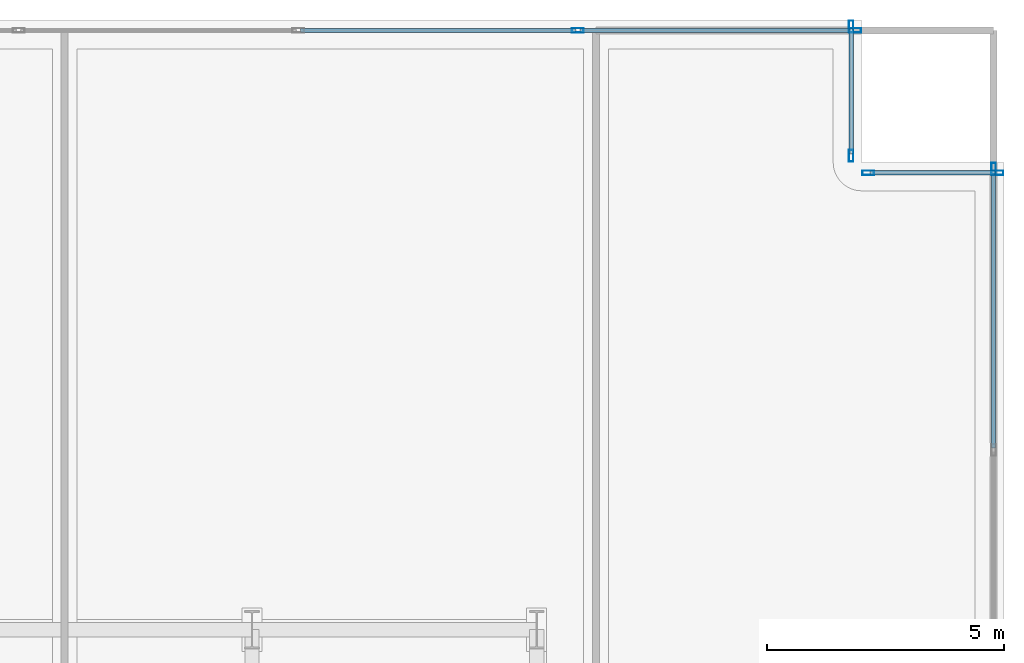
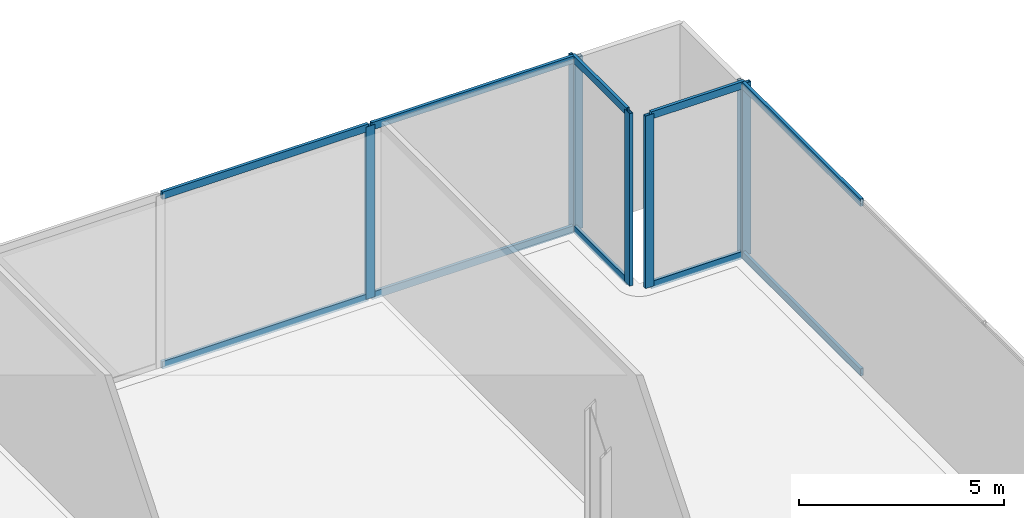
# One storey, part 19 of 27: 17 members, 4 elements without a shape of their own.
"""IFC4 building model written with IfcOpenShell, lengths in metres."""

from ifc_helpers import new_model, si_unit, direction, frame, origin, origin_2d, place, context, subcontext, project, spatial, hollow_rectangle, extrude, material, layer, layer_set, material_profile, profile_set, type_object, element, aggregate, save


model = new_model("IFC4")

# Units and contexts
model_context = context("Model", 3, precision=1e-05, world=origin(), true_north=direction((0.0, 1.0)))
body_context = subcontext(model_context, "Body", "Model", "MODEL_VIEW")
ifc_project = project(units=[si_unit("LENGTHUNIT", "METRE"), si_unit("AREAUNIT", "SQUARE_METRE"), si_unit("VOLUMEUNIT", "CUBIC_METRE"), si_unit("PLANEANGLEUNIT", "RADIAN"), si_unit("MASSUNIT", "GRAM", prefix="KILO"), si_unit("THERMODYNAMICTEMPERATUREUNIT", "KELVIN"), si_unit("POWERUNIT", "WATT")], contexts=[model_context])

# Site, building, storey
site_placement = place(None, origin())
site = spatial("IfcSite", under=ifc_project, at=site_placement, CompositionType="ELEMENT")
building_placement = place(site_placement, origin())
building = spatial("IfcBuilding", under=site, at=building_placement, Name="Svarakhadi Broadcast Tower", CompositionType="ELEMENT")
storey_placement = place(building_placement, frame((0.0, 0.0, 5.699951171875)))
storey = spatial("IfcBuildingStorey", under=building, at=storey_placement, Name="L01", CompositionType="ELEMENT", Elevation=5.699951171875)

# Curtain wall, members
ifc_material = material(Name="Anodised Bronze Aluminium AA 6063-T6", Category="aluminium")
ifc_layer = layer(ifc_material, 0.25)
ifc_layer_set = layer_set([ifc_layer], Name="Anodised Bronze Aluminium AA 6063-T6")
curtain_wall_type = type_object("IfcCurtainWallType", Name="CW_Sys_01", PredefinedType="NOTDEFINED", material=ifc_layer_set)
curtain_wall_1_placement = place(storey_placement, origin())
curtain_wall_1 = element("IfcCurtainWall", 1, at=curtain_wall_1_placement, inside=storey, type_object=curtain_wall_type, Name="L01 Unitised Facade Curtain Wall 05 Bay 2", PredefinedType="NOTDEFINED")
ifc_material_profile_1 = material_profile(ifc_material, hollow_rectangle(XDim=0.094970703125, YDim=0.25, WallThickness=0.006103515625, at=origin_2d()), Name="ALU MULLION 250x95x6")
ifc_profile_set_1 = profile_set([ifc_material_profile_1], Name="Anodised Bronze Aluminium AA 6063-T6")
member_type_1 = type_object("IfcMemberType", Name="CW_Sys_01_Mul", PredefinedType="MULLION", material=ifc_profile_set_1)
member_1_placement = place(storey_placement, frame((54.017578125, 47.780029296875, 0.0), z_axis=(0.0, 0.0, 1.0), x_axis=(0.0, 1.0, 0.0)))
member_1 = element("IfcMember", 2, at=member_1_placement, type_object=member_type_1, Name="CW-01 mullion 8", PredefinedType="MULLION", context=body_context, shape_type="SweptSolid", body=[
    extrude(hollow_rectangle(XDim=0.094970703125, YDim=0.25, WallThickness=0.006103515625, at=origin_2d()), origin(), (0.0, 0.0, 1.0), 5.125),
])
member_2_placement = place(storey_placement, frame((59.862548828125, 47.780029296875, 0.0), z_axis=(0.0, 0.0, 1.0), x_axis=(0.0, 1.0, 0.0)))
member_2 = element("IfcMember", 3, at=member_2_placement, type_object=member_type_1, Name="CW-01 mullion 9", PredefinedType="MULLION", context=body_context, shape_type="SweptSolid", body=[
    extrude(hollow_rectangle(XDim=0.094970703125, YDim=0.25, WallThickness=0.006103515625, at=origin_2d()), origin(), (0.0, 0.0, 1.0), 5.125),
])

curtain_wall_2_placement = place(storey_placement, origin())
curtain_wall_2 = element("IfcCurtainWall", 4, at=curtain_wall_2_placement, inside=storey, type_object=curtain_wall_type, Name="L01 Unitised Facade Curtain Wall 06", PredefinedType="NOTDEFINED")
member_3_placement = place(storey_placement, frame((59.780029296875, 47.862548828125, 0.0), z_axis=(0.0, 0.0, 1.0), x_axis=(1.0, 0.0, 0.0)))
member_3 = element("IfcMember", 5, at=member_3_placement, type_object=member_type_1, Name="CW-01 mullion 1", PredefinedType="MULLION", context=body_context, shape_type="SweptSolid", body=[
    extrude(hollow_rectangle(XDim=0.094970703125, YDim=0.25, WallThickness=0.006103515625, at=origin_2d()), origin(), (0.0, 0.0, 1.0), 5.125),
])
member_4_placement = place(storey_placement, frame((59.780029296875, 45.137451171875, 0.0), z_axis=(0.0, 0.0, 1.0), x_axis=(1.0, 0.0, 0.0)))
member_4 = element("IfcMember", 6, at=member_4_placement, type_object=member_type_1, Name="CW-01 mullion 2", PredefinedType="MULLION", context=body_context, shape_type="SweptSolid", body=[
    extrude(hollow_rectangle(XDim=0.094970703125, YDim=0.25, WallThickness=0.006103515625, at=origin_2d()), origin(), (0.0, 0.0, 1.0), 5.125),
])

curtain_wall_3_placement = place(storey_placement, origin())
curtain_wall_3 = element("IfcCurtainWall", 7, at=curtain_wall_3_placement, inside=storey, type_object=curtain_wall_type, Name="L01 Unitised Facade Curtain Wall 07", PredefinedType="NOTDEFINED")
member_5_placement = place(storey_placement, frame((60.137451171875, 44.780029296875, 0.0), z_axis=(0.0, 0.0, 1.0), x_axis=(0.0, 1.0, 0.0)))
member_5 = element("IfcMember", 8, at=member_5_placement, type_object=member_type_1, Name="CW-01 mullion 1", PredefinedType="MULLION", context=body_context, shape_type="SweptSolid", body=[
    extrude(hollow_rectangle(XDim=0.094970703125, YDim=0.25, WallThickness=0.006103515625, at=origin_2d()), origin(), (0.0, 0.0, 1.0), 5.125),
])
member_6_placement = place(storey_placement, frame((62.862548828125, 44.780029296875, 0.0), z_axis=(0.0, 0.0, 1.0), x_axis=(0.0, 1.0, 0.0)))
member_6 = element("IfcMember", 9, at=member_6_placement, type_object=member_type_1, Name="CW-01 mullion 2", PredefinedType="MULLION", context=body_context, shape_type="SweptSolid", body=[
    extrude(hollow_rectangle(XDim=0.094970703125, YDim=0.25, WallThickness=0.006103515625, at=origin_2d()), origin(), (0.0, 0.0, 1.0), 5.125),
])

# Curtain wall, member
curtain_wall_4_placement = place(storey_placement, origin())
curtain_wall_4 = element("IfcCurtainWall", 10, at=curtain_wall_4_placement, inside=storey, type_object=curtain_wall_type, Name="L01 Unitised Facade Curtain Wall 08", PredefinedType="NOTDEFINED")
member_7_placement = place(storey_placement, frame((62.780029296875, 44.862548828125, 0.0), z_axis=(0.0, 0.0, 1.0), x_axis=(1.0, 0.0, 0.0)))
member_7 = element("IfcMember", 11, at=member_7_placement, type_object=member_type_1, Name="CW-01 mullion 1", PredefinedType="MULLION", context=body_context, shape_type="SweptSolid", body=[
    extrude(hollow_rectangle(XDim=0.094970703125, YDim=0.25, WallThickness=0.006103515625, at=origin_2d()), origin(), (0.0, 0.0, 1.0), 5.125),
])

# Member
ifc_material_profile_2 = material_profile(ifc_material, hollow_rectangle(XDim=0.0849609375, YDim=0.219970703125, WallThickness=0.0048828125, at=origin_2d()), Name="ALU TRANSOM 220x85x5")
ifc_profile_set_2 = profile_set([ifc_material_profile_2], Name="Anodised Bronze Aluminium AA 6063-T6")
member_type_2 = type_object("IfcMemberType", Name="CW_Sys_01_Trn", PredefinedType="USERDEFINED", material=ifc_profile_set_2)
member_8_placement = place(storey_placement, frame((48.172607421875, 47.780029296875, 0.04248046875), z_axis=(1.0, 0.0, 0.0), x_axis=(0.0, 1.0, 0.0)))
member_8 = element("IfcMember", 12, at=member_8_placement, type_object=member_type_2, Name="CW-01 transom 7.1", ObjectType="TRANSOM", PredefinedType="USERDEFINED", context=body_context, shape_type="SweptSolid", body=[
    extrude(hollow_rectangle(XDim=0.0849609375, YDim=0.219970703125, WallThickness=0.0048828125, at=origin_2d()), origin(), (0.0, 0.0, 1.0), 5.79736328125),
])

member_9_placement = place(storey_placement, frame((48.172607421875, 47.780029296875, 5.08251953125), z_axis=(1.0, 0.0, 0.0), x_axis=(0.0, 1.0, 0.0)))
member_9 = element("IfcMember", 13, at=member_9_placement, type_object=member_type_2, Name="CW-01 transom 7.2", ObjectType="TRANSOM", PredefinedType="USERDEFINED", context=body_context, shape_type="SweptSolid", body=[
    extrude(hollow_rectangle(XDim=0.0849609375, YDim=0.219970703125, WallThickness=0.0048828125, at=origin_2d()), origin(), (0.0, 0.0, 1.0), 5.79736328125),
])

member_10_placement = place(storey_placement, frame((54.06494140625, 47.780029296875, 0.04248046875), z_axis=(1.0, 0.0, 0.0), x_axis=(0.0, 1.0, 0.0)))
member_10 = element("IfcMember", 14, at=member_10_placement, type_object=member_type_2, Name="CW-01 transom 8.1", ObjectType="TRANSOM", PredefinedType="USERDEFINED", context=body_context, shape_type="SweptSolid", body=[
    extrude(hollow_rectangle(XDim=0.0849609375, YDim=0.219970703125, WallThickness=0.0048828125, at=origin_2d()), origin(), (0.0, 0.0, 1.0), 5.75),
])

member_11_placement = place(storey_placement, frame((54.06494140625, 47.780029296875, 5.08251953125), z_axis=(1.0, 0.0, 0.0), x_axis=(0.0, 1.0, 0.0)))
member_11 = element("IfcMember", 15, at=member_11_placement, type_object=member_type_2, Name="CW-01 transom 8.2", ObjectType="TRANSOM", PredefinedType="USERDEFINED", context=body_context, shape_type="SweptSolid", body=[
    extrude(hollow_rectangle(XDim=0.0849609375, YDim=0.219970703125, WallThickness=0.0048828125, at=origin_2d()), origin(), (0.0, 0.0, 1.0), 5.75),
])

aggregate(curtain_wall_1, [member_1, member_2, member_8, member_9, member_10, member_11])

member_12_placement = place(storey_placement, frame((59.780029296875, 47.81494140625, 0.04248046875), z_axis=(0.0, -1.0, 0.0), x_axis=(1.0, 0.0, 0.0)))
member_12 = element("IfcMember", 16, at=member_12_placement, type_object=member_type_2, Name="CW-01 transom 1.1", ObjectType="TRANSOM", PredefinedType="USERDEFINED", context=body_context, shape_type="SweptSolid", body=[
    extrude(hollow_rectangle(XDim=0.0849609375, YDim=0.219970703125, WallThickness=0.0048828125, at=origin_2d()), origin(), (0.0, 0.0, 1.0), 2.6298828125),
])

member_13_placement = place(storey_placement, frame((59.780029296875, 47.81494140625, 5.08251953125), z_axis=(0.0, -1.0, 0.0), x_axis=(1.0, 0.0, 0.0)))
member_13 = element("IfcMember", 17, at=member_13_placement, type_object=member_type_2, Name="CW-01 transom 1.2", ObjectType="TRANSOM", PredefinedType="USERDEFINED", context=body_context, shape_type="SweptSolid", body=[
    extrude(hollow_rectangle(XDim=0.0849609375, YDim=0.219970703125, WallThickness=0.0048828125, at=origin_2d()), origin(), (0.0, 0.0, 1.0), 2.6298828125),
])

aggregate(curtain_wall_2, [member_3, member_4, member_12, member_13])

member_14_placement = place(storey_placement, frame((60.18505859375, 44.780029296875, 0.04248046875), z_axis=(1.0, 0.0, 0.0), x_axis=(0.0, 1.0, 0.0)))
member_14 = element("IfcMember", 18, at=member_14_placement, type_object=member_type_2, Name="CW-01 transom 1.1", ObjectType="TRANSOM", PredefinedType="USERDEFINED", context=body_context, shape_type="SweptSolid", body=[
    extrude(hollow_rectangle(XDim=0.0849609375, YDim=0.219970703125, WallThickness=0.0048828125, at=origin_2d()), origin(), (0.0, 0.0, 1.0), 2.6298828125),
])

member_15_placement = place(storey_placement, frame((60.18505859375, 44.780029296875, 5.08251953125), z_axis=(1.0, 0.0, 0.0), x_axis=(0.0, 1.0, 0.0)))
member_15 = element("IfcMember", 19, at=member_15_placement, type_object=member_type_2, Name="CW-01 transom 1.2", ObjectType="TRANSOM", PredefinedType="USERDEFINED", context=body_context, shape_type="SweptSolid", body=[
    extrude(hollow_rectangle(XDim=0.0849609375, YDim=0.219970703125, WallThickness=0.0048828125, at=origin_2d()), origin(), (0.0, 0.0, 1.0), 2.6298828125),
])

aggregate(curtain_wall_3, [member_5, member_6, member_14, member_15])

member_16_placement = place(storey_placement, frame((62.780029296875, 44.81494140625, 0.04248046875), z_axis=(0.0, -1.0, 0.0), x_axis=(1.0, 0.0, 0.0)))
member_16 = element("IfcMember", 20, at=member_16_placement, type_object=member_type_2, Name="CW-01 transom 1.1", ObjectType="TRANSOM", PredefinedType="USERDEFINED", context=body_context, shape_type="SweptSolid", body=[
    extrude(hollow_rectangle(XDim=0.0849609375, YDim=0.219970703125, WallThickness=0.0048828125, at=origin_2d()), origin(), (0.0, 0.0, 1.0), 5.831787109375),
])

member_17_placement = place(storey_placement, frame((62.780029296875, 44.81494140625, 5.08251953125), z_axis=(0.0, -1.0, 0.0), x_axis=(1.0, 0.0, 0.0)))
member_17 = element("IfcMember", 21, at=member_17_placement, type_object=member_type_2, Name="CW-01 transom 1.2", ObjectType="TRANSOM", PredefinedType="USERDEFINED", context=body_context, shape_type="SweptSolid", body=[
    extrude(hollow_rectangle(XDim=0.0849609375, YDim=0.219970703125, WallThickness=0.0048828125, at=origin_2d()), origin(), (0.0, 0.0, 1.0), 5.831787109375),
])

aggregate(curtain_wall_4, [member_7, member_16, member_17])

save(model, "model.ifc")
